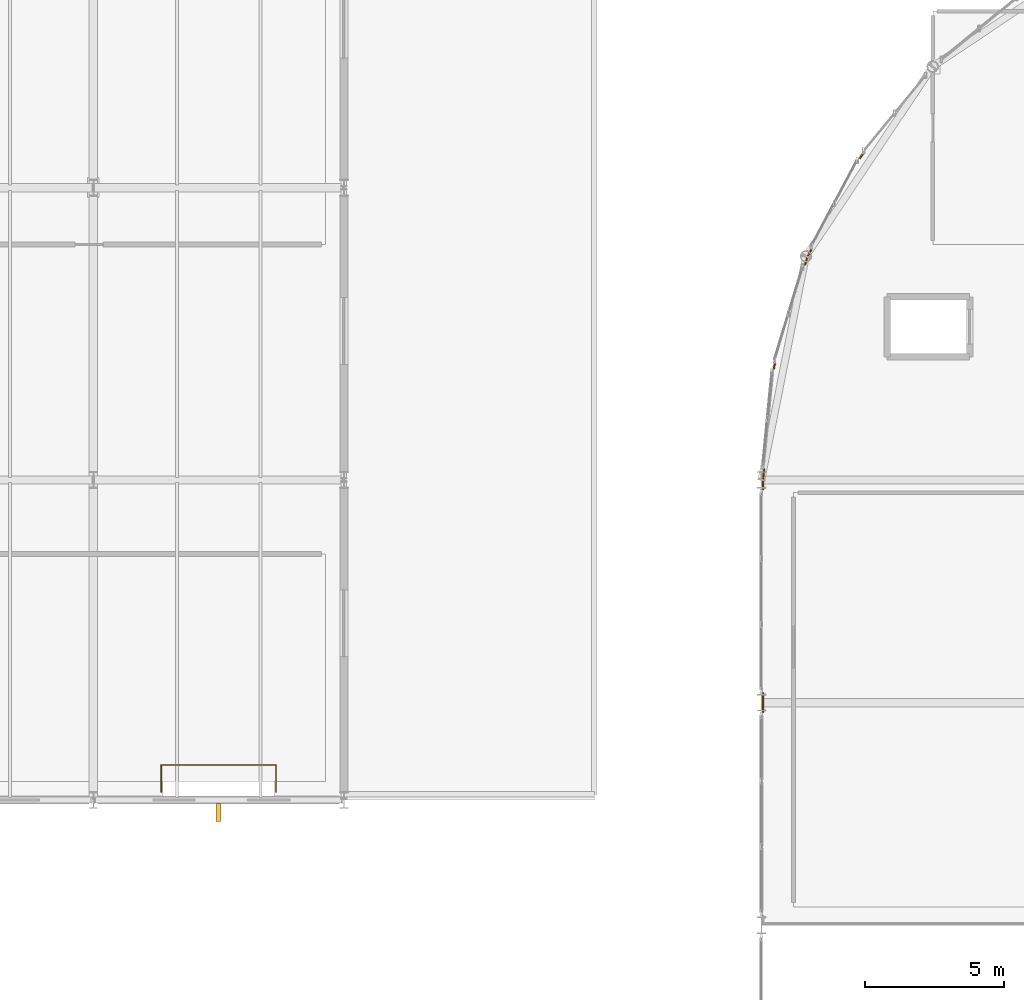
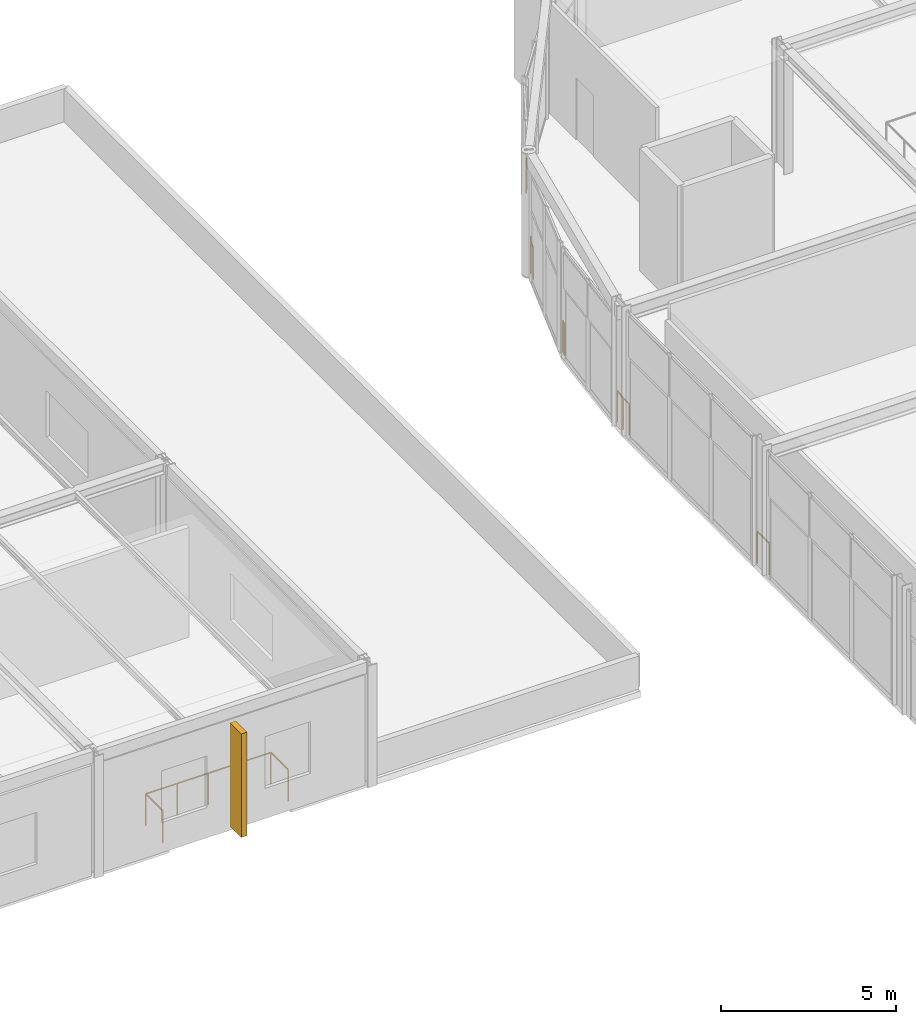
# One storey, part 93 of 105: 6 railings, 1 shading device.
"""IFC4 building model written with IfcOpenShell, lengths in metres."""

from ifc_helpers import new_model, si_unit, direction, frame, origin, origin_2d, place, context, subcontext, project, spatial, rectangle, circle, extrude, material, type_object, element, save


model = new_model("IFC4")

# Units and contexts
model_context = context("Model", 3, precision=1e-05, world=origin(), true_north=direction((0.0, 1.0)))
body_context = subcontext(model_context, "Body", "Model", "MODEL_VIEW")
ifc_project = project(units=[si_unit("LENGTHUNIT", "METRE"), si_unit("AREAUNIT", "SQUARE_METRE"), si_unit("VOLUMEUNIT", "CUBIC_METRE"), si_unit("PLANEANGLEUNIT", "RADIAN"), si_unit("MASSUNIT", "GRAM", prefix="KILO")], contexts=[model_context])

# Site, building, storey
site_placement = place(None, origin())
site = spatial("IfcSite", under=ifc_project, at=site_placement, CompositionType="ELEMENT")
building_placement = place(site_placement, origin())
building = spatial("IfcBuilding", under=site, at=building_placement, Name="Marlcrest Central Station", CompositionType="ELEMENT")
storey_placement = place(building_placement, frame((0.0, 0.0, 15.0)))
storey = spatial("IfcBuildingStorey", under=building, at=storey_placement, Name="L03", CompositionType="ELEMENT", Elevation=15.0)

# Railings
ifc_material_1 = material(Name="Stainless steel and laminated glass concourse balustrade", Category="steel")
railing_type = type_object("IfcRailingType", Name="GR-02", PredefinedType="BALUSTRADE", material=ifc_material_1)
railing_1_placement = place(storey_placement, frame((69.56005859375, 99.284912109375, 0.0)))
element("IfcRailing", 1, at=railing_1_placement, inside=storey, type_object=railing_type, Name="hr-L03-00320", PredefinedType="BALUSTRADE", context=body_context, shape_type="SweptSolid", body=[
    extrude(circle(Radius=0.02392578125, at=origin_2d()), frame((0.0, 0.0, 1.09619140625), z_axis=(0.0, 1.0, 0.0), x_axis=(-1.0, 0.0, 0.0)), (0.0, 0.0, 1.0), 0.97509765625),
    extrude(circle(Radius=0.02392578125, at=origin_2d()), frame((0.0, 0.97509765625, 1.09619140625), z_axis=(-1.0, 0.0, 0.0), x_axis=(0.0, -1.0, 0.0)), (0.0, 0.0, 1.0), 4.1201171875),
    extrude(circle(Radius=0.02392578125, at=origin_2d()), frame((-4.1201171875, 0.97509765625, 1.09619140625), z_axis=(0.0, -1.0, 0.0), x_axis=(1.0, 0.0, 0.0)), (0.0, 0.0, 1.0), 0.97509765625),
    extrude(circle(Radius=0.02099609375, at=origin_2d()), origin(), (0.0, 0.0, 1.0), 1.072021484375),
    extrude(circle(Radius=0.02099609375, at=origin_2d()), frame((0.0, 0.97509765625, 0.0)), (0.0, 0.0, 1.0), 1.072021484375),
    extrude(circle(Radius=0.02099609375, at=origin_2d()), frame((-1.030029296875, 0.97509765625, 0.0)), (0.0, 0.0, 1.0), 1.072021484375),
    extrude(circle(Radius=0.02099609375, at=origin_2d()), frame((-2.06005859375, 0.97509765625, 0.0)), (0.0, 0.0, 1.0), 1.072021484375),
    extrude(circle(Radius=0.02099609375, at=origin_2d()), frame((-3.090087890625, 0.97509765625, 0.0)), (0.0, 0.0, 1.0), 1.072021484375),
    extrude(circle(Radius=0.02099609375, at=origin_2d()), frame((-4.1201171875, 0.97509765625, 0.0)), (0.0, 0.0, 1.0), 1.072021484375),
    extrude(circle(Radius=0.02099609375, at=origin_2d()), frame((-4.1201171875, 0.0, 0.0)), (0.0, 0.0, 1.0), 1.072021484375),
])
railing_2_placement = place(storey_placement, frame((87.06005859375, 102.159912109375, 0.0)))
element("IfcRailing", 2, at=railing_2_placement, inside=storey, type_object=railing_type, Name="hr-L03-00452", PredefinedType="BALUSTRADE", context=body_context, shape_type="SweptSolid", body=[
    extrude(circle(Radius=0.02392578125, at=origin_2d()), frame((0.0, 0.0, 1.09619140625), z_axis=(0.0, 1.0, 0.0), x_axis=(-1.0, 0.0, 0.0)), (0.0, 0.0, 1.0), 0.68017578125),
    extrude(circle(Radius=0.02099609375, at=origin_2d()), origin(), (0.0, 0.0, 1.0), 1.072021484375),
    extrude(circle(Radius=0.02099609375, at=origin_2d()), frame((0.0, 0.68017578125, 0.0)), (0.0, 0.0, 1.0), 1.072021484375),
])
railing_3_placement = place(storey_placement, frame((87.06005859375, 110.159912109375, 0.0)))
element("IfcRailing", 3, at=railing_3_placement, inside=storey, type_object=railing_type, Name="hr-L03-00453", PredefinedType="BALUSTRADE", context=body_context, shape_type="SweptSolid", body=[
    extrude(circle(Radius=0.02392578125, at=origin_2d()), frame((0.0, 0.0, 1.09619140625), z_axis=(0.0, 1.0, 0.0), x_axis=(-1.0, 0.0, 0.0)), (0.0, 0.0, 1.0), 0.337158203125),
    extrude(circle(Radius=0.02392578125, at=origin_2d()), frame((0.0, 0.337158203125, 1.09619140625), z_axis=(0.097571424031, 0.99522852512, 0.0), x_axis=(-0.99522852512, 0.097571424031, 0.0)), (0.0, 0.0, 1.0), 0.387939453125),
    extrude(circle(Radius=0.02099609375, at=origin_2d()), origin(), (0.0, 0.0, 1.0), 1.072021484375),
    extrude(circle(Radius=0.02099609375, at=origin_2d()), frame((0.0, 0.337158203125, 0.0)), (0.0, 0.0, 1.0), 1.072021484375),
    extrude(circle(Radius=0.02099609375, at=origin_2d()), frame((0.037841796875, 0.72314453125, 0.0)), (0.0, 0.0, 1.0), 1.072021484375),
])
railing_4_placement = place(storey_placement, frame((87.4541015625, 114.49609375, 0.0)))
element("IfcRailing", 4, at=railing_4_placement, inside=storey, type_object=railing_type, Name="hr-L03-00454", PredefinedType="BALUSTRADE", context=body_context, shape_type="SweptSolid", body=[
    extrude(circle(Radius=0.02392578125, at=origin_2d()), frame((0.0, 0.0, 1.09619140625), z_axis=(0.0984209217, 0.995144874966, 0.0), x_axis=(-0.995144874966, 0.0984209217, 0.0)), (0.0, 0.0, 1.0), 0.08935546875),
    extrude(circle(Radius=0.02392578125, at=origin_2d()), frame((0.0087890625, 0.0888671875, 1.09619140625), z_axis=(0.290837119501, 0.956772580042, 0.0), x_axis=(-0.956772580042, 0.290837119501, 0.0)), (0.0, 0.0, 1.0), 0.08984375),
    extrude(circle(Radius=0.02099609375, at=origin_2d()), origin(), (0.0, 0.0, 1.0), 1.072021484375),
    extrude(circle(Radius=0.02099609375, at=origin_2d()), frame((0.0087890625, 0.0888671875, 0.0)), (0.0, 0.0, 1.0), 1.072021484375),
    extrude(circle(Radius=0.02099609375, at=origin_2d()), frame((0.034912109375, 0.1748046875, 0.0)), (0.0, 0.0, 1.0), 1.072021484375),
])
railing_5_placement = place(storey_placement, frame((88.571044921875, 118.237060546875, 0.0)))
element("IfcRailing", 5, at=railing_5_placement, inside=storey, type_object=railing_type, Name="hr-L03-00455", PredefinedType="BALUSTRADE", context=body_context, shape_type="SweptSolid", body=[
    extrude(circle(Radius=0.02392578125, at=origin_2d()), frame((0.0, 0.0, 1.09619140625), z_axis=(0.291228991205, 0.956653372273, 0.0), x_axis=(-0.956653372273, 0.291228991205, 0.0)), (0.0, 0.0, 1.0), 0.288330078125),
    extrude(circle(Radius=0.02392578125, at=origin_2d()), frame((0.083984375, 0.27587890625, 1.09619140625), z_axis=(0.469134550261, 0.883126703113, 0.0), x_axis=(-0.883126703113, 0.469134550261, 0.0)), (0.0, 0.0, 1.0), 0.287841796875),
    extrude(circle(Radius=0.02099609375, at=origin_2d()), origin(), (0.0, 0.0, 1.0), 1.072021484375),
    extrude(circle(Radius=0.02099609375, at=origin_2d()), frame((0.083984375, 0.27587890625, 0.0)), (0.0, 0.0, 1.0), 1.072021484375),
    extrude(circle(Radius=0.02099609375, at=origin_2d()), frame((0.218994140625, 0.530029296875, 0.0)), (0.0, 0.0, 1.0), 1.072021484375),
])
railing_6_placement = place(storey_placement, frame((90.547119140625, 122.053955078125, 0.0)))
element("IfcRailing", 6, at=railing_6_placement, inside=storey, type_object=railing_type, Name="hr-L03-00456", PredefinedType="BALUSTRADE", context=body_context, shape_type="SweptSolid", body=[
    extrude(circle(Radius=0.02392578125, at=origin_2d()), frame((0.0, 0.0, 1.09619140625), z_axis=(0.464410514373, 0.885620050665, 0.0), x_axis=(-0.885620050665, 0.464410514373, 0.0)), (0.0, 0.0, 1.0), 0.09033203125),
    extrude(circle(Radius=0.02392578125, at=origin_2d()), frame((0.0419921875, 0.080078125, 1.09619140625), z_axis=(0.636952090501, 0.770903388504, 0.0), x_axis=(-0.770903388504, 0.636952090501, 0.0)), (0.0, 0.0, 1.0), 0.08935546875),
    extrude(circle(Radius=0.02099609375, at=origin_2d()), origin(), (0.0, 0.0, 1.0), 1.072021484375),
    extrude(circle(Radius=0.02099609375, at=origin_2d()), frame((0.0419921875, 0.080078125, 0.0)), (0.0, 0.0, 1.0), 1.072021484375),
    extrude(circle(Radius=0.02099609375, at=origin_2d()), frame((0.098876953125, 0.14892578125, 0.0)), (0.0, 0.0, 1.0), 1.072021484375),
])

# Shading device
ifc_material_2 = material(Name="Precast concrete C40/50", Category="concrete")
shading_device_type = type_object("IfcShadingDeviceType", Name="SD-BS1", PredefinedType="USERDEFINED", material=ifc_material_2)
shading_device_placement = place(storey_placement, frame((67.5, 98.550048828125, 0.125), z_axis=(0.0, 0.0, 1.0), x_axis=(1.0, 0.0, 0.0)))
element("IfcShadingDevice", 7, at=shading_device_placement, inside=storey, type_object=shading_device_type, Name="shd-L03-0054", ObjectType="BRISE_SOLEIL", PredefinedType="USERDEFINED", context=body_context, shape_type="SweptSolid", body=[
    extrude(rectangle(XDim=0.179931640625, YDim=0.64990234375, at=origin_2d()), origin(), (0.0, 0.0, 1.0), 3.60009765625),
])

save(model, "model.ifc")
